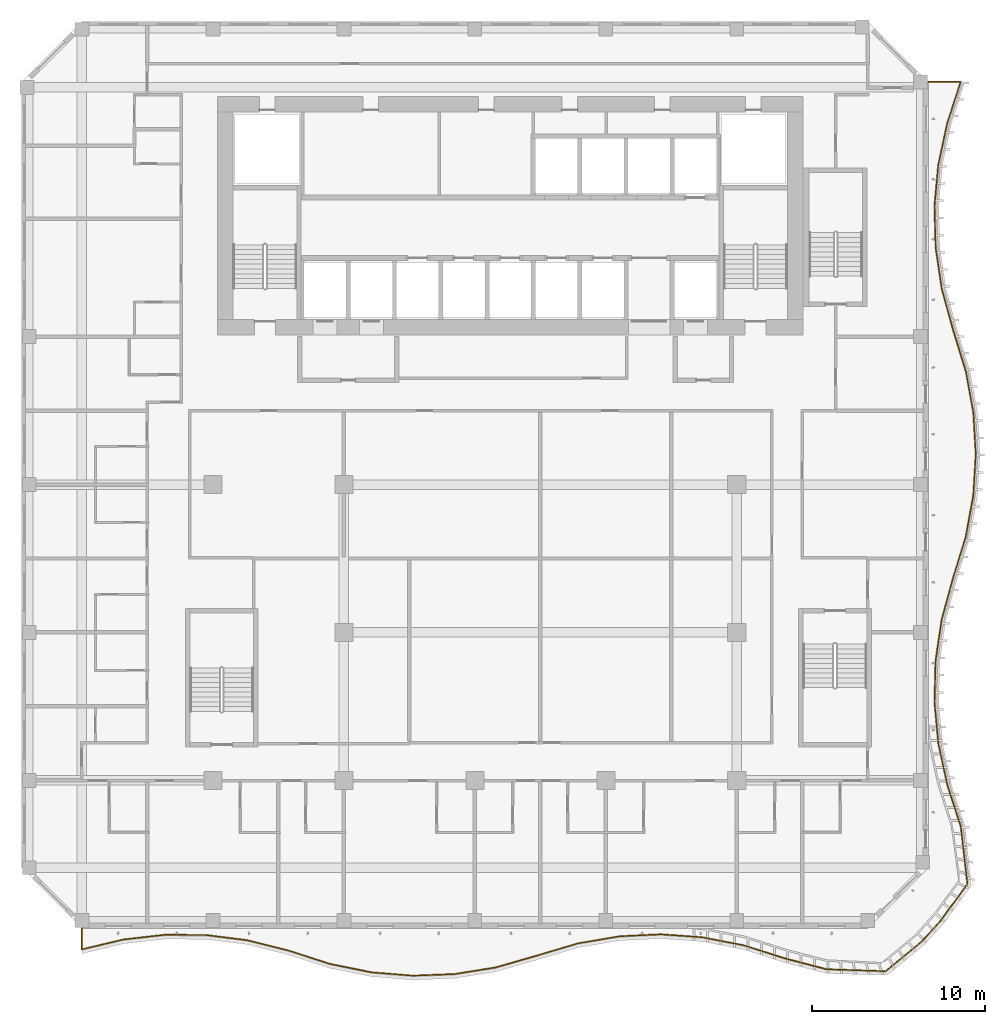
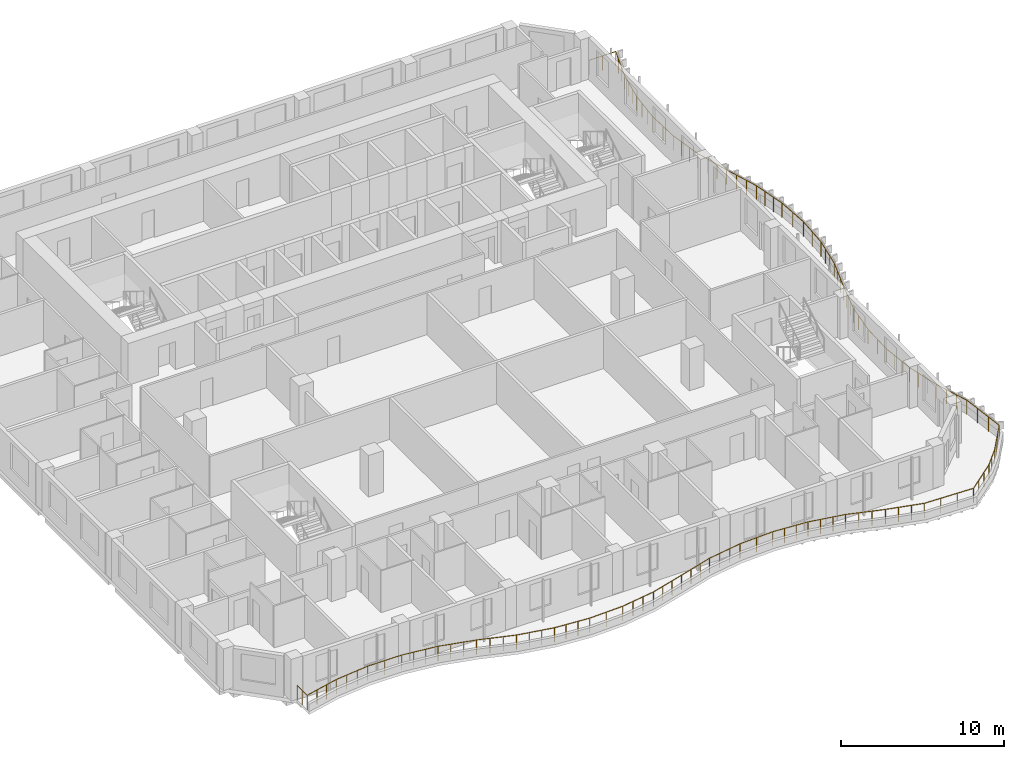
# One storey, part 18 of 23: 1 railing.
"""IFC4 building model written with IfcOpenShell, lengths in metres."""

from ifc_helpers import new_model, si_unit, direction, frame, origin, origin_2d, place, context, subcontext, project, spatial, circle, extrude, material, type_object, element, save


model = new_model("IFC4")

# Units and contexts
model_context = context("Model", 3, precision=1e-05, world=origin(), true_north=direction((0.0, 1.0)))
body_context = subcontext(model_context, "Body", "Model", "MODEL_VIEW")
ifc_project = project(units=[si_unit("LENGTHUNIT", "METRE"), si_unit("AREAUNIT", "SQUARE_METRE"), si_unit("VOLUMEUNIT", "CUBIC_METRE"), si_unit("PLANEANGLEUNIT", "RADIAN"), si_unit("MASSUNIT", "GRAM", prefix="KILO")], contexts=[model_context])

# Site, building, storey
site_placement = place(None, origin())
site = spatial("IfcSite", under=ifc_project, at=site_placement, CompositionType="ELEMENT")
building_placement = place(site_placement, origin())
building = spatial("IfcBuilding", under=site, at=building_placement, Name="Kilnfold Tower and Market Hall", CompositionType="ELEMENT")
storey_placement = place(building_placement, frame((0.0, 0.0, 178.699951171875)))
storey = spatial("IfcBuildingStorey", under=building, at=storey_placement, Name="L42", CompositionType="ELEMENT", Elevation=178.699951171875)

# Railing
ifc_material = material(Name="Stainless steel and laminated glass", Category="steel")
railing_type = type_object("IfcRailingType", Name="GUARD 1100", PredefinedType="GUARDRAIL", material=ifc_material)
railing_placement = place(storey_placement, frame((-23.75, -26.25, 0.0)))
element("IfcRailing", 1, at=railing_placement, inside=storey, type_object=railing_type, Name="Guard balcony L42", PredefinedType="GUARDRAIL", context=body_context, shape_type="SweptSolid", body=[
    extrude(circle(Radius=0.02490234375, at=origin_2d()), frame((0.0, 0.0, 1.0751953125), z_axis=(0.0, -1.0, 0.0), x_axis=(1.0, 0.0, 0.0)), (0.0, 0.0, 1.0), 1.224365234375),
    extrude(circle(Radius=0.02490234375, at=origin_2d()), frame((0.0, -1.224365234375, 1.0751953125), z_axis=(0.972637858526, 0.232326486138, 0.0), x_axis=(-0.232326486138, 0.972637858526, 0.0)), (0.0, 0.0, 1.0), 2.462158203125),
    extrude(circle(Radius=0.02490234375, at=origin_2d()), frame((2.394775390625, -0.65234375, 1.0751953125), z_axis=(0.993555831989, 0.113343763482, 0.0), x_axis=(-0.113343763482, 0.993555831989, 0.0)), (0.0, 0.0, 1.0), 2.410400390625),
    extrude(circle(Radius=0.02490234375, at=origin_2d()), frame((4.78955078125, -0.379150390625, 1.0751953125), z_axis=(0.999984277405, -0.005607579043, 0.0), x_axis=(0.005607579043, 0.999984277405, 0.0)), (0.0, 0.0, 1.0), 2.39453125),
    extrude(circle(Radius=0.02490234375, at=origin_2d()), frame((7.18408203125, -0.392578125, 1.0751953125), z_axis=(0.992217065677, -0.124520257707, 0.0), x_axis=(0.124520257707, 0.992217065677, 0.0)), (0.0, 0.0, 1.0), 2.41357421875),
    extrude(circle(Radius=0.02490234375, at=origin_2d()), frame((9.578857421875, -0.693115234375, 1.0751953125), z_axis=(0.969915233155, -0.243442889594, 0.0), x_axis=(0.243442889594, 0.969915233155, 0.0)), (0.0, 0.0, 1.0), 2.468994140625),
    extrude(circle(Radius=0.02490234375, at=origin_2d()), frame((11.9736328125, -1.294189453125, 1.0751953125), z_axis=(0.951940674273, -0.306282472016, 0.0), x_axis=(0.306282472016, 0.951940674273, 0.0)), (0.0, 0.0, 1.0), 2.515625),
    extrude(circle(Radius=0.02490234375, at=origin_2d()), frame((14.368408203125, -2.064697265625, 1.0751953125), z_axis=(0.979918138669, -0.199400204382, 0.0), x_axis=(0.199400204382, 0.979918138669, 0.0)), (0.0, 0.0, 1.0), 2.44384765625),
    extrude(circle(Radius=0.02490234375, at=origin_2d()), frame((16.76318359375, -2.552001953125, 1.0751953125), z_axis=(0.996748045779, -0.080581221358, 0.0), x_axis=(0.080581221358, 0.996748045779, 0.0)), (0.0, 0.0, 1.0), 2.402587890625),
    extrude(circle(Radius=0.02490234375, at=origin_2d()), frame((19.157958984375, -2.74560546875, 1.0751953125), z_axis=(0.999262077301, 0.038409645508, 0.0), x_axis=(-0.038409645508, 0.999262077301, 0.0)), (0.0, 0.0, 1.0), 2.396240234375),
    extrude(circle(Radius=0.02490234375, at=origin_2d()), frame((21.552490234375, -2.653564453125, 1.0751953125), z_axis=(0.987544070387, 0.157342648523, 0.0), x_axis=(-0.157342648523, 0.987544070387, 0.0)), (0.0, 0.0, 1.0), 2.42529296875),
    extrude(circle(Radius=0.02490234375, at=origin_2d()), frame((23.947509765625, -2.27197265625, 1.0751953125), z_axis=(0.961064099617, 0.276325526195, 0.0), x_axis=(-0.276325526195, 0.961064099617, 0.0)), (0.0, 0.0, 1.0), 2.491455078125),
    extrude(circle(Radius=0.02490234375, at=origin_2d()), frame((26.342041015625, -1.58349609375, 1.0751953125), z_axis=(0.95840786282, 0.285402117168, 0.0), x_axis=(-0.285402117168, 0.95840786282, 0.0)), (0.0, 0.0, 1.0), 2.498779296875),
    extrude(circle(Radius=0.02490234375, at=origin_2d()), frame((28.73681640625, -0.870361328125, 1.0751953125), z_axis=(0.986030201752, 0.166566627006, 0.0), x_axis=(-0.166566627006, 0.986030201752, 0.0)), (0.0, 0.0, 1.0), 2.4287109375),
    extrude(circle(Radius=0.02490234375, at=origin_2d()), frame((31.131591796875, -0.4658203125, 1.0751953125), z_axis=(0.998858903515, 0.047758673234, 0.0), x_axis=(-0.047758673234, 0.998858903515, 0.0)), (0.0, 0.0, 1.0), 2.3974609375),
    extrude(circle(Radius=0.02490234375, at=origin_2d()), frame((33.5263671875, -0.351318359375, 1.0751953125), z_axis=(0.997456118266, -0.07128318268, 0.0), x_axis=(0.07128318268, 0.997456118266, 0.0)), (0.0, 0.0, 1.0), 2.40087890625),
    extrude(circle(Radius=0.02490234375, at=origin_2d()), frame((35.921142578125, -0.5224609375, 1.0751953125), z_axis=(0.981733442958, -0.190261522588, 0.0), x_axis=(0.190261522588, 0.981733442958, 0.0)), (0.0, 0.0, 1.0), 2.439453125),
    extrude(circle(Radius=0.02490234375, at=origin_2d()), frame((38.31591796875, -0.986572265625, 1.0751953125), z_axis=(0.953226539927, -0.302256784173, 0.0), x_axis=(0.302256784173, 0.953226539927, 0.0)), (0.0, 0.0, 1.0), 2.511962890625),
    extrude(circle(Radius=0.02490234375, at=origin_2d()), frame((40.71044921875, -1.745849609375, 1.0751953125), z_axis=(0.967541810288, -0.252710991738, 0.0), x_axis=(0.252710991738, 0.967541810288, 0.0)), (0.0, 0.0, 1.0), 2.47509765625),
    extrude(circle(Radius=0.02490234375, at=origin_2d()), frame((43.105224609375, -2.371337890625, 1.0751953125), z_axis=(0.999408112184, -0.034400949129, 0.0), x_axis=(0.034400949129, 0.999408112184, 0.0)), (0.0, 0.0, 1.0), 3.427734375),
    extrude(circle(Radius=0.02490234375, at=origin_2d()), frame((46.531005859375, -2.4892578125, 1.0751953125), z_axis=(0.772092413404, 0.635510271486, 0.0), x_axis=(-0.635510271486, 0.772092413404, 0.0)), (0.0, 0.0, 1.0), 2.69384765625),
    extrude(circle(Radius=0.02490234375, at=origin_2d()), frame((48.61083984375, -0.77734375, 1.0751953125), z_axis=(0.671980898931, 0.740568478584, 0.0), x_axis=(-0.740568478584, 0.671980898931, 0.0)), (0.0, 0.0, 1.0), 1.651611328125),
    extrude(circle(Radius=0.02490234375, at=origin_2d()), frame((49.720703125, 0.44580078125, 1.0751953125), z_axis=(0.589616974726, 0.807682996673, 0.0), x_axis=(-0.807682996673, 0.589616974726, 0.0)), (0.0, 0.0, 1.0), 2.619873046875),
    extrude(circle(Radius=0.02490234375, at=origin_2d()), frame((51.265380859375, 2.561767578125, 1.0751953125), z_axis=(-0.113817507844, 0.993501673329, 0.0), x_axis=(-0.993501673329, -0.113817507844, 0.0)), (0.0, 0.0, 1.0), 3.354736328125),
    extrude(circle(Radius=0.02490234375, at=origin_2d()), frame((50.883544921875, 5.894775390625, 1.0751953125), z_axis=(-0.309531011285, 0.95088934848, 0.0), x_axis=(-0.95088934848, -0.309531011285, 0.0)), (0.0, 0.0, 1.0), 2.5185546875),
    extrude(circle(Radius=0.02490234375, at=origin_2d()), frame((50.10400390625, 8.28955078125, 1.0751953125), z_axis=(-0.21193734549, 0.977283255554, 0.0), x_axis=(-0.977283255554, -0.21193734549, 0.0)), (0.0, 0.0, 1.0), 2.4501953125),
    extrude(circle(Radius=0.02490234375, at=origin_2d()), frame((49.584716796875, 10.68408203125, 1.0751953125), z_axis=(-0.092878465653, 0.995677453103, 0.0), x_axis=(-0.995677453103, -0.092878465653, 0.0)), (0.0, 0.0, 1.0), 2.4052734375),
    extrude(circle(Radius=0.02490234375, at=origin_2d()), frame((49.361328125, 13.078857421875, 1.0751953125), z_axis=(0.02598775376, 0.999662261294, 0.0), x_axis=(-0.999662261294, 0.02598775376, 0.0)), (0.0, 0.0, 1.0), 2.3955078125),
    extrude(circle(Radius=0.02490234375, at=origin_2d()), frame((49.423583984375, 15.4736328125, 1.0751953125), z_axis=(0.144950924792, 0.989438845711, 0.0), x_axis=(-0.989438845711, 0.144950924792, 0.0)), (0.0, 0.0, 1.0), 2.42041015625),
    extrude(circle(Radius=0.02490234375, at=origin_2d()), frame((49.7744140625, 17.868408203125, 1.0751953125), z_axis=(0.263832909932, 0.964568398631, 0.0), x_axis=(-0.964568398631, 0.263832909932, 0.0)), (0.0, 0.0, 1.0), 2.482666015625),
    extrude(circle(Radius=0.02490234375, at=origin_2d()), frame((50.429443359375, 20.26318359375, 1.0751953125), z_axis=(0.295406488093, 0.955371658985, 0.0), x_axis=(-0.955371658985, 0.295406488093, 0.0)), (0.0, 0.0, 1.0), 2.506591796875),
    extrude(circle(Radius=0.02490234375, at=origin_2d()), frame((51.169921875, 22.657958984375, 1.0751953125), z_axis=(0.179053153737, 0.983839401598, 0.0), x_axis=(-0.983839401598, 0.179053153737, 0.0)), (0.0, 0.0, 1.0), 2.433837890625),
    extrude(circle(Radius=0.02490234375, at=origin_2d()), frame((51.605712890625, 25.052490234375, 1.0751953125), z_axis=(0.060135618519, 0.998190216034, 0.0), x_axis=(-0.998190216034, 0.060135618519, 0.0)), (0.0, 0.0, 1.0), 2.3994140625),
    extrude(circle(Radius=0.02490234375, at=origin_2d()), frame((51.75, 27.447509765625, 1.0751953125), z_axis=(-0.058829418115, 0.998268049957, 0.0), x_axis=(-0.998268049957, -0.058829418115, 0.0)), (0.0, 0.0, 1.0), 2.398681640625),
    extrude(circle(Radius=0.02490234375, at=origin_2d()), frame((51.60888671875, 29.842041015625, 1.0751953125), z_axis=(-0.177772938794, 0.984071533087, 0.0), x_axis=(-0.984071533087, -0.177772938794, 0.0)), (0.0, 0.0, 1.0), 2.43359375),
    extrude(circle(Radius=0.02490234375, at=origin_2d()), frame((51.17626953125, 32.23681640625, 1.0751953125), z_axis=(-0.294517123978, 0.95564620215, 0.0), x_axis=(-0.95564620215, -0.294517123978, 0.0)), (0.0, 0.0, 1.0), 2.505859375),
    extrude(circle(Radius=0.02490234375, at=origin_2d()), frame((50.438232421875, 34.631591796875, 1.0751953125), z_axis=(-0.265204460157, 0.964192197807, 0.0), x_axis=(-0.964192197807, -0.265204460157, 0.0)), (0.0, 0.0, 1.0), 2.483642578125),
    extrude(circle(Radius=0.02490234375, at=origin_2d()), frame((49.779541015625, 37.0263671875, 1.0751953125), z_axis=(-0.14613562587, 0.98926456464, 0.0), x_axis=(-0.98926456464, -0.14613562587, 0.0)), (0.0, 0.0, 1.0), 2.420654296875),
    extrude(circle(Radius=0.02490234375, at=origin_2d()), frame((49.42578125, 39.421142578125, 1.0751953125), z_axis=(-0.027311655337, 0.999626967165, 0.0), x_axis=(-0.999626967165, -0.027311655337, 0.0)), (0.0, 0.0, 1.0), 2.395751953125),
    extrude(circle(Radius=0.02490234375, at=origin_2d()), frame((49.3603515625, 41.81591796875, 1.0751953125), z_axis=(0.091679958956, 0.995788524299, 0.0), x_axis=(-0.995788524299, 0.091679958956, 0.0)), (0.0, 0.0, 1.0), 2.404541015625),
    extrude(circle(Radius=0.02490234375, at=origin_2d()), frame((49.580810546875, 44.21044921875, 1.0751953125), z_axis=(0.210583916046, 0.977575784429, 0.0), x_axis=(-0.977575784429, 0.210583916046, 0.0)), (0.0, 0.0, 1.0), 2.44970703125),
    extrude(circle(Radius=0.02490234375, at=origin_2d()), frame((50.0966796875, 46.605224609375, 1.0751953125), z_axis=(0.309268017736, 0.950974917233, 0.0), x_axis=(-0.950974917233, 0.309268017736, 0.0)), (0.0, 0.0, 1.0), 2.518310546875),
    extrude(circle(Radius=0.02490234375, at=origin_2d()), frame((50.87548828125, 49.0, 1.0751953125), z_axis=(-1.0, 0.0, 0.0), x_axis=(0.0, -1.0, 0.0)), (0.0, 0.0, 1.0), 1.87548828125),
    extrude(circle(Radius=0.02490234375, at=origin_2d()), origin(), (0.0, 0.0, 1.0), 1.050048828125),
    extrude(circle(Radius=0.02490234375, at=origin_2d()), frame((0.0, -0.6123046875, 0.0)), (0.0, 0.0, 1.0), 1.050048828125),
    extrude(circle(Radius=0.02490234375, at=origin_2d()), frame((0.0, -1.224365234375, 0.0)), (0.0, 0.0, 1.0), 1.050048828125),
    extrude(circle(Radius=0.02490234375, at=origin_2d()), frame((0.79833984375, -1.03369140625, 0.0)), (0.0, 0.0, 1.0), 1.050048828125),
    extrude(circle(Radius=0.02490234375, at=origin_2d()), frame((1.596435546875, -0.843017578125, 0.0)), (0.0, 0.0, 1.0), 1.050048828125),
    extrude(circle(Radius=0.02490234375, at=origin_2d()), frame((2.394775390625, -0.65234375, 0.0)), (0.0, 0.0, 1.0), 1.050048828125),
    extrude(circle(Radius=0.02490234375, at=origin_2d()), frame((3.193115234375, -0.561279296875, 0.0)), (0.0, 0.0, 1.0), 1.050048828125),
    extrude(circle(Radius=0.02490234375, at=origin_2d()), frame((3.9912109375, -0.47021484375, 0.0)), (0.0, 0.0, 1.0), 1.050048828125),
    extrude(circle(Radius=0.02490234375, at=origin_2d()), frame((4.78955078125, -0.379150390625, 0.0)), (0.0, 0.0, 1.0), 1.050048828125),
    extrude(circle(Radius=0.02490234375, at=origin_2d()), frame((5.98681640625, -0.3857421875, 0.0)), (0.0, 0.0, 1.0), 1.050048828125),
    extrude(circle(Radius=0.02490234375, at=origin_2d()), frame((7.18408203125, -0.392578125, 0.0)), (0.0, 0.0, 1.0), 1.050048828125),
    extrude(circle(Radius=0.02490234375, at=origin_2d()), frame((7.982421875, -0.49267578125, 0.0)), (0.0, 0.0, 1.0), 1.050048828125),
    extrude(circle(Radius=0.02490234375, at=origin_2d()), frame((8.780517578125, -0.593017578125, 0.0)), (0.0, 0.0, 1.0), 1.050048828125),
    extrude(circle(Radius=0.02490234375, at=origin_2d()), frame((9.578857421875, -0.693115234375, 0.0)), (0.0, 0.0, 1.0), 1.050048828125),
    extrude(circle(Radius=0.02490234375, at=origin_2d()), frame((10.377197265625, -0.8935546875, 0.0)), (0.0, 0.0, 1.0), 1.050048828125),
    extrude(circle(Radius=0.02490234375, at=origin_2d()), frame((11.17529296875, -1.09375, 0.0)), (0.0, 0.0, 1.0), 1.050048828125),
    extrude(circle(Radius=0.02490234375, at=origin_2d()), frame((11.9736328125, -1.294189453125, 0.0)), (0.0, 0.0, 1.0), 1.050048828125),
    extrude(circle(Radius=0.02490234375, at=origin_2d()), frame((12.77197265625, -1.551025390625, 0.0)), (0.0, 0.0, 1.0), 1.050048828125),
    extrude(circle(Radius=0.02490234375, at=origin_2d()), frame((13.570068359375, -1.807861328125, 0.0)), (0.0, 0.0, 1.0), 1.050048828125),
    extrude(circle(Radius=0.02490234375, at=origin_2d()), frame((14.368408203125, -2.064697265625, 0.0)), (0.0, 0.0, 1.0), 1.050048828125),
    extrude(circle(Radius=0.02490234375, at=origin_2d()), frame((15.166748046875, -2.22705078125, 0.0)), (0.0, 0.0, 1.0), 1.050048828125),
    extrude(circle(Radius=0.02490234375, at=origin_2d()), frame((15.96484375, -2.3896484375, 0.0)), (0.0, 0.0, 1.0), 1.050048828125),
    extrude(circle(Radius=0.02490234375, at=origin_2d()), frame((16.76318359375, -2.552001953125, 0.0)), (0.0, 0.0, 1.0), 1.050048828125),
    extrude(circle(Radius=0.02490234375, at=origin_2d()), frame((17.5615234375, -2.616455078125, 0.0)), (0.0, 0.0, 1.0), 1.050048828125),
    extrude(circle(Radius=0.02490234375, at=origin_2d()), frame((18.359619140625, -2.68115234375, 0.0)), (0.0, 0.0, 1.0), 1.050048828125),
    extrude(circle(Radius=0.02490234375, at=origin_2d()), frame((19.157958984375, -2.74560546875, 0.0)), (0.0, 0.0, 1.0), 1.050048828125),
    extrude(circle(Radius=0.02490234375, at=origin_2d()), frame((20.355224609375, -2.69970703125, 0.0)), (0.0, 0.0, 1.0), 1.050048828125),
    extrude(circle(Radius=0.02490234375, at=origin_2d()), frame((21.552490234375, -2.653564453125, 0.0)), (0.0, 0.0, 1.0), 1.050048828125),
    extrude(circle(Radius=0.02490234375, at=origin_2d()), frame((22.350830078125, -2.5263671875, 0.0)), (0.0, 0.0, 1.0), 1.050048828125),
    extrude(circle(Radius=0.02490234375, at=origin_2d()), frame((23.149169921875, -2.399169921875, 0.0)), (0.0, 0.0, 1.0), 1.050048828125),
    extrude(circle(Radius=0.02490234375, at=origin_2d()), frame((23.947509765625, -2.27197265625, 0.0)), (0.0, 0.0, 1.0), 1.050048828125),
    extrude(circle(Radius=0.02490234375, at=origin_2d()), frame((24.74560546875, -2.04248046875, 0.0)), (0.0, 0.0, 1.0), 1.050048828125),
    extrude(circle(Radius=0.02490234375, at=origin_2d()), frame((25.5439453125, -1.81298828125, 0.0)), (0.0, 0.0, 1.0), 1.050048828125),
    extrude(circle(Radius=0.02490234375, at=origin_2d()), frame((26.342041015625, -1.58349609375, 0.0)), (0.0, 0.0, 1.0), 1.050048828125),
    extrude(circle(Radius=0.02490234375, at=origin_2d()), frame((27.140380859375, -1.345703125, 0.0)), (0.0, 0.0, 1.0), 1.050048828125),
    extrude(circle(Radius=0.02490234375, at=origin_2d()), frame((27.9384765625, -1.108154296875, 0.0)), (0.0, 0.0, 1.0), 1.050048828125),
    extrude(circle(Radius=0.02490234375, at=origin_2d()), frame((28.73681640625, -0.870361328125, 0.0)), (0.0, 0.0, 1.0), 1.050048828125),
    extrude(circle(Radius=0.02490234375, at=origin_2d()), frame((29.53515625, -0.735595703125, 0.0)), (0.0, 0.0, 1.0), 1.050048828125),
    extrude(circle(Radius=0.02490234375, at=origin_2d()), frame((30.333251953125, -0.6005859375, 0.0)), (0.0, 0.0, 1.0), 1.050048828125),
    extrude(circle(Radius=0.02490234375, at=origin_2d()), frame((31.131591796875, -0.4658203125, 0.0)), (0.0, 0.0, 1.0), 1.050048828125),
    extrude(circle(Radius=0.02490234375, at=origin_2d()), frame((32.3291015625, -0.40869140625, 0.0)), (0.0, 0.0, 1.0), 1.050048828125),
    extrude(circle(Radius=0.02490234375, at=origin_2d()), frame((33.5263671875, -0.351318359375, 0.0)), (0.0, 0.0, 1.0), 1.050048828125),
    extrude(circle(Radius=0.02490234375, at=origin_2d()), frame((34.32470703125, -0.408447265625, 0.0)), (0.0, 0.0, 1.0), 1.050048828125),
    extrude(circle(Radius=0.02490234375, at=origin_2d()), frame((35.122802734375, -0.46533203125, 0.0)), (0.0, 0.0, 1.0), 1.050048828125),
    extrude(circle(Radius=0.02490234375, at=origin_2d()), frame((35.921142578125, -0.5224609375, 0.0)), (0.0, 0.0, 1.0), 1.050048828125),
    extrude(circle(Radius=0.02490234375, at=origin_2d()), frame((36.719482421875, -0.67724609375, 0.0)), (0.0, 0.0, 1.0), 1.050048828125),
    extrude(circle(Radius=0.02490234375, at=origin_2d()), frame((37.517578125, -0.831787109375, 0.0)), (0.0, 0.0, 1.0), 1.050048828125),
    extrude(circle(Radius=0.02490234375, at=origin_2d()), frame((38.31591796875, -0.986572265625, 0.0)), (0.0, 0.0, 1.0), 1.050048828125),
    extrude(circle(Radius=0.02490234375, at=origin_2d()), frame((39.114013671875, -1.23974609375, 0.0)), (0.0, 0.0, 1.0), 1.050048828125),
    extrude(circle(Radius=0.02490234375, at=origin_2d()), frame((39.912353515625, -1.49267578125, 0.0)), (0.0, 0.0, 1.0), 1.050048828125),
    extrude(circle(Radius=0.02490234375, at=origin_2d()), frame((40.71044921875, -1.745849609375, 0.0)), (0.0, 0.0, 1.0), 1.050048828125),
    extrude(circle(Radius=0.02490234375, at=origin_2d()), frame((41.5087890625, -1.954345703125, 0.0)), (0.0, 0.0, 1.0), 1.050048828125),
    extrude(circle(Radius=0.02490234375, at=origin_2d()), frame((42.306884765625, -2.162841796875, 0.0)), (0.0, 0.0, 1.0), 1.050048828125),
    extrude(circle(Radius=0.02490234375, at=origin_2d()), frame((43.105224609375, -2.371337890625, 0.0)), (0.0, 0.0, 1.0), 1.050048828125),
    extrude(circle(Radius=0.02490234375, at=origin_2d()), frame((44.2470703125, -2.41064453125, 0.0)), (0.0, 0.0, 1.0), 1.050048828125),
    extrude(circle(Radius=0.02490234375, at=origin_2d()), frame((45.38916015625, -2.449951171875, 0.0)), (0.0, 0.0, 1.0), 1.050048828125),
    extrude(circle(Radius=0.02490234375, at=origin_2d()), frame((46.531005859375, -2.4892578125, 0.0)), (0.0, 0.0, 1.0), 1.050048828125),
    extrude(circle(Radius=0.02490234375, at=origin_2d()), frame((47.224365234375, -1.918701171875, 0.0)), (0.0, 0.0, 1.0), 1.050048828125),
    extrude(circle(Radius=0.02490234375, at=origin_2d()), frame((47.91748046875, -1.347900390625, 0.0)), (0.0, 0.0, 1.0), 1.050048828125),
    extrude(circle(Radius=0.02490234375, at=origin_2d()), frame((48.61083984375, -0.77734375, 0.0)), (0.0, 0.0, 1.0), 1.050048828125),
    extrude(circle(Radius=0.02490234375, at=origin_2d()), frame((49.165771484375, -0.165771484375, 0.0)), (0.0, 0.0, 1.0), 1.050048828125),
    extrude(circle(Radius=0.02490234375, at=origin_2d()), frame((49.720703125, 0.44580078125, 0.0)), (0.0, 0.0, 1.0), 1.050048828125),
    extrude(circle(Radius=0.02490234375, at=origin_2d()), frame((50.235595703125, 1.151123046875, 0.0)), (0.0, 0.0, 1.0), 1.050048828125),
    extrude(circle(Radius=0.02490234375, at=origin_2d()), frame((50.75048828125, 1.8564453125, 0.0)), (0.0, 0.0, 1.0), 1.050048828125),
    extrude(circle(Radius=0.02490234375, at=origin_2d()), frame((51.265380859375, 2.561767578125, 0.0)), (0.0, 0.0, 1.0), 1.050048828125),
    extrude(circle(Radius=0.02490234375, at=origin_2d()), frame((51.13818359375, 3.6728515625, 0.0)), (0.0, 0.0, 1.0), 1.050048828125),
    extrude(circle(Radius=0.02490234375, at=origin_2d()), frame((51.0107421875, 4.78369140625, 0.0)), (0.0, 0.0, 1.0), 1.050048828125),
    extrude(circle(Radius=0.02490234375, at=origin_2d()), frame((50.883544921875, 5.894775390625, 0.0)), (0.0, 0.0, 1.0), 1.050048828125),
    extrude(circle(Radius=0.02490234375, at=origin_2d()), frame((50.623779296875, 6.693115234375, 0.0)), (0.0, 0.0, 1.0), 1.050048828125),
    extrude(circle(Radius=0.02490234375, at=origin_2d()), frame((50.36376953125, 7.4912109375, 0.0)), (0.0, 0.0, 1.0), 1.050048828125),
    extrude(circle(Radius=0.02490234375, at=origin_2d()), frame((50.10400390625, 8.28955078125, 0.0)), (0.0, 0.0, 1.0), 1.050048828125),
    extrude(circle(Radius=0.02490234375, at=origin_2d()), frame((49.930908203125, 9.087646484375, 0.0)), (0.0, 0.0, 1.0), 1.050048828125),
    extrude(circle(Radius=0.02490234375, at=origin_2d()), frame((49.7578125, 9.885986328125, 0.0)), (0.0, 0.0, 1.0), 1.050048828125),
    extrude(circle(Radius=0.02490234375, at=origin_2d()), frame((49.584716796875, 10.68408203125, 0.0)), (0.0, 0.0, 1.0), 1.050048828125),
    extrude(circle(Radius=0.02490234375, at=origin_2d()), frame((49.51025390625, 11.482421875, 0.0)), (0.0, 0.0, 1.0), 1.050048828125),
    extrude(circle(Radius=0.02490234375, at=origin_2d()), frame((49.435791015625, 12.280517578125, 0.0)), (0.0, 0.0, 1.0), 1.050048828125),
    extrude(circle(Radius=0.02490234375, at=origin_2d()), frame((49.361328125, 13.078857421875, 0.0)), (0.0, 0.0, 1.0), 1.050048828125),
    extrude(circle(Radius=0.02490234375, at=origin_2d()), frame((49.392578125, 14.2763671875, 0.0)), (0.0, 0.0, 1.0), 1.050048828125),
    extrude(circle(Radius=0.02490234375, at=origin_2d()), frame((49.423583984375, 15.4736328125, 0.0)), (0.0, 0.0, 1.0), 1.050048828125),
    extrude(circle(Radius=0.02490234375, at=origin_2d()), frame((49.54052734375, 16.27197265625, 0.0)), (0.0, 0.0, 1.0), 1.050048828125),
    extrude(circle(Radius=0.02490234375, at=origin_2d()), frame((49.657470703125, 17.070068359375, 0.0)), (0.0, 0.0, 1.0), 1.050048828125),
    extrude(circle(Radius=0.02490234375, at=origin_2d()), frame((49.7744140625, 17.868408203125, 0.0)), (0.0, 0.0, 1.0), 1.050048828125),
    extrude(circle(Radius=0.02490234375, at=origin_2d()), frame((49.99267578125, 18.666748046875, 0.0)), (0.0, 0.0, 1.0), 1.050048828125),
    extrude(circle(Radius=0.02490234375, at=origin_2d()), frame((50.211181640625, 19.46484375, 0.0)), (0.0, 0.0, 1.0), 1.050048828125),
    extrude(circle(Radius=0.02490234375, at=origin_2d()), frame((50.429443359375, 20.26318359375, 0.0)), (0.0, 0.0, 1.0), 1.050048828125),
    extrude(circle(Radius=0.02490234375, at=origin_2d()), frame((50.67626953125, 21.0615234375, 0.0)), (0.0, 0.0, 1.0), 1.050048828125),
    extrude(circle(Radius=0.02490234375, at=origin_2d()), frame((50.923095703125, 21.859619140625, 0.0)), (0.0, 0.0, 1.0), 1.050048828125),
    extrude(circle(Radius=0.02490234375, at=origin_2d()), frame((51.169921875, 22.657958984375, 0.0)), (0.0, 0.0, 1.0), 1.050048828125),
    extrude(circle(Radius=0.02490234375, at=origin_2d()), frame((51.315185546875, 23.4560546875, 0.0)), (0.0, 0.0, 1.0), 1.050048828125),
    extrude(circle(Radius=0.02490234375, at=origin_2d()), frame((51.46044921875, 24.25439453125, 0.0)), (0.0, 0.0, 1.0), 1.050048828125),
    extrude(circle(Radius=0.02490234375, at=origin_2d()), frame((51.605712890625, 25.052490234375, 0.0)), (0.0, 0.0, 1.0), 1.050048828125),
    extrude(circle(Radius=0.02490234375, at=origin_2d()), frame((51.677734375, 26.25, 0.0)), (0.0, 0.0, 1.0), 1.050048828125),
    extrude(circle(Radius=0.02490234375, at=origin_2d()), frame((51.75, 27.447509765625, 0.0)), (0.0, 0.0, 1.0), 1.050048828125),
    extrude(circle(Radius=0.02490234375, at=origin_2d()), frame((51.679443359375, 28.644775390625, 0.0)), (0.0, 0.0, 1.0), 1.050048828125),
    extrude(circle(Radius=0.02490234375, at=origin_2d()), frame((51.60888671875, 29.842041015625, 0.0)), (0.0, 0.0, 1.0), 1.050048828125),
    extrude(circle(Radius=0.02490234375, at=origin_2d()), frame((51.464599609375, 30.640380859375, 0.0)), (0.0, 0.0, 1.0), 1.050048828125),
    extrude(circle(Radius=0.02490234375, at=origin_2d()), frame((51.320556640625, 31.4384765625, 0.0)), (0.0, 0.0, 1.0), 1.050048828125),
    extrude(circle(Radius=0.02490234375, at=origin_2d()), frame((51.17626953125, 32.23681640625, 0.0)), (0.0, 0.0, 1.0), 1.050048828125),
    extrude(circle(Radius=0.02490234375, at=origin_2d()), frame((50.93017578125, 33.03515625, 0.0)), (0.0, 0.0, 1.0), 1.050048828125),
    extrude(circle(Radius=0.02490234375, at=origin_2d()), frame((50.684326171875, 33.833251953125, 0.0)), (0.0, 0.0, 1.0), 1.050048828125),
    extrude(circle(Radius=0.02490234375, at=origin_2d()), frame((50.438232421875, 34.631591796875, 0.0)), (0.0, 0.0, 1.0), 1.050048828125),
    extrude(circle(Radius=0.02490234375, at=origin_2d()), frame((50.21875, 35.429931640625, 0.0)), (0.0, 0.0, 1.0), 1.050048828125),
    extrude(circle(Radius=0.02490234375, at=origin_2d()), frame((49.9990234375, 36.22802734375, 0.0)), (0.0, 0.0, 1.0), 1.050048828125),
    extrude(circle(Radius=0.02490234375, at=origin_2d()), frame((49.779541015625, 37.0263671875, 0.0)), (0.0, 0.0, 1.0), 1.050048828125),
    extrude(circle(Radius=0.02490234375, at=origin_2d()), frame((49.66162109375, 37.82470703125, 0.0)), (0.0, 0.0, 1.0), 1.050048828125),
    extrude(circle(Radius=0.02490234375, at=origin_2d()), frame((49.543701171875, 38.622802734375, 0.0)), (0.0, 0.0, 1.0), 1.050048828125),
    extrude(circle(Radius=0.02490234375, at=origin_2d()), frame((49.42578125, 39.421142578125, 0.0)), (0.0, 0.0, 1.0), 1.050048828125),
    extrude(circle(Radius=0.02490234375, at=origin_2d()), frame((49.39306640625, 40.61865234375, 0.0)), (0.0, 0.0, 1.0), 1.050048828125),
    extrude(circle(Radius=0.02490234375, at=origin_2d()), frame((49.3603515625, 41.81591796875, 0.0)), (0.0, 0.0, 1.0), 1.050048828125),
    extrude(circle(Radius=0.02490234375, at=origin_2d()), frame((49.433837890625, 42.614013671875, 0.0)), (0.0, 0.0, 1.0), 1.050048828125),
    extrude(circle(Radius=0.02490234375, at=origin_2d()), frame((49.50732421875, 43.412353515625, 0.0)), (0.0, 0.0, 1.0), 1.050048828125),
    extrude(circle(Radius=0.02490234375, at=origin_2d()), frame((49.580810546875, 44.21044921875, 0.0)), (0.0, 0.0, 1.0), 1.050048828125),
    extrude(circle(Radius=0.02490234375, at=origin_2d()), frame((49.752685546875, 45.0087890625, 0.0)), (0.0, 0.0, 1.0), 1.050048828125),
    extrude(circle(Radius=0.02490234375, at=origin_2d()), frame((49.9248046875, 45.806884765625, 0.0)), (0.0, 0.0, 1.0), 1.050048828125),
    extrude(circle(Radius=0.02490234375, at=origin_2d()), frame((50.0966796875, 46.605224609375, 0.0)), (0.0, 0.0, 1.0), 1.050048828125),
    extrude(circle(Radius=0.02490234375, at=origin_2d()), frame((50.356201171875, 47.403564453125, 0.0)), (0.0, 0.0, 1.0), 1.050048828125),
    extrude(circle(Radius=0.02490234375, at=origin_2d()), frame((50.615966796875, 48.20166015625, 0.0)), (0.0, 0.0, 1.0), 1.050048828125),
    extrude(circle(Radius=0.02490234375, at=origin_2d()), frame((50.87548828125, 49.0, 0.0)), (0.0, 0.0, 1.0), 1.050048828125),
    extrude(circle(Radius=0.02490234375, at=origin_2d()), frame((49.937744140625, 49.0, 0.0)), (0.0, 0.0, 1.0), 1.050048828125),
    extrude(circle(Radius=0.02490234375, at=origin_2d()), frame((49.0, 49.0, 0.0)), (0.0, 0.0, 1.0), 1.050048828125),
])

save(model, "model.ifc")
